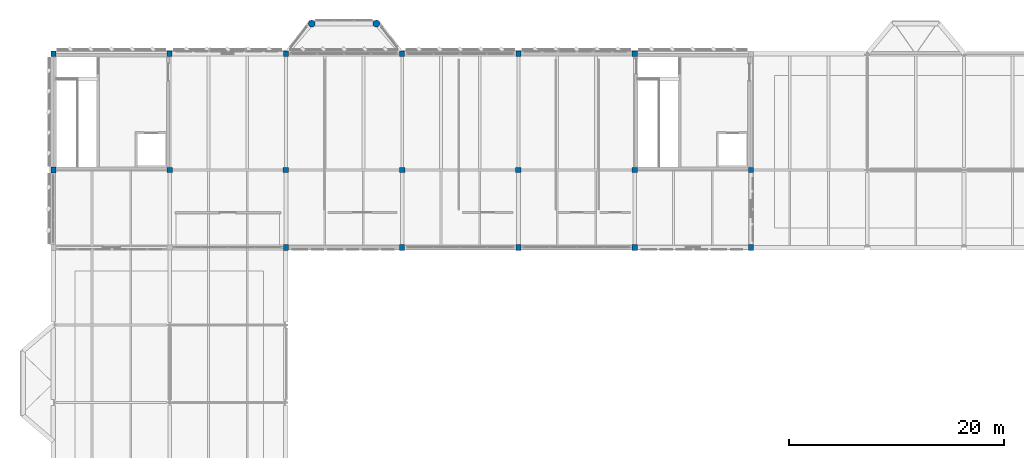
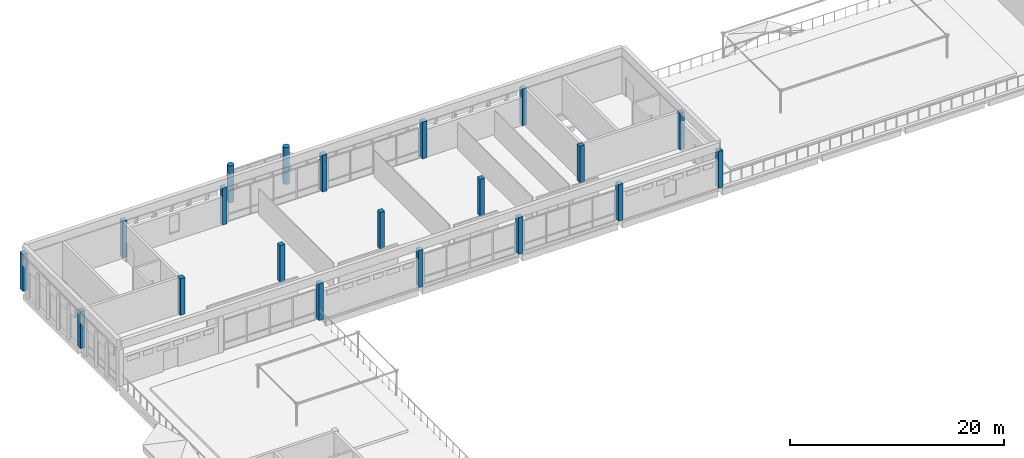
# One storey, part 4 of 33: 20 columns.
"""IFC4 building model written with IfcOpenShell, lengths in metres."""

from ifc_helpers import new_model, si_unit, direction, frame, origin, origin_2d, place, context, subcontext, project, spatial, rectangle, circle, extrude, material, material_profile, profile_set, type_object, element, save


model = new_model("IFC4")

# Units and contexts
model_context = context("Model", 3, precision=1e-05, world=origin(), true_north=direction((0.0, 1.0)))
body_context = subcontext(model_context, "Body", "Model", "MODEL_VIEW")
ifc_project = project(units=[si_unit("LENGTHUNIT", "METRE"), si_unit("AREAUNIT", "SQUARE_METRE"), si_unit("VOLUMEUNIT", "CUBIC_METRE"), si_unit("PLANEANGLEUNIT", "RADIAN"), si_unit("MASSUNIT", "GRAM", prefix="KILO")], contexts=[model_context])

# Site, building, storey
site_placement = place(None, origin())
site = spatial("IfcSite", under=ifc_project, at=site_placement, CompositionType="ELEMENT")
building_placement = place(site_placement, origin())
building = spatial("IfcBuilding", under=site, at=building_placement, Name="Lusvemor Sports Hall", CompositionType="ELEMENT")
storey_placement = place(building_placement, frame((0.0, 0.0, 19.199951171875)))
storey = spatial("IfcBuildingStorey", under=building, at=storey_placement, Name="L04", CompositionType="ELEMENT", Elevation=19.199951171875)

# Columns
ifc_material_1 = material(Name="Concrete C40/50", Category="concrete")
ifc_material_profile_1 = material_profile(ifc_material_1, circle(Radius=0.324951171875, at=origin_2d()), Name="RCCIRC650")
ifc_profile_set_1 = profile_set([ifc_material_profile_1], Name="Concrete C40/50")
column_type_1 = type_object("IfcColumnType", Name="COL_COLONNADE", PredefinedType="COLUMN", material=ifc_profile_set_1)
for number, where, z_axis, x_axis, name in (
    (1, (24.0, 118.0, 0.0), (0.0, 0.0, 1.0), (1.0, 0.0, 0.0), "Art Nouveau Bow Column BOW-N1-1 (L04)"),
    (2, (30.0, 118.0, 0.0), (0.0, 0.0, 1.0), (1.0, 0.0, 0.0), "Art Nouveau Bow Column BOW-N1-2 (L04)"),
):
    element("IfcColumn", number, at=place(storey_placement, frame(where, z_axis=z_axis, x_axis=x_axis)), inside=storey, type_object=column_type_1, Name=name, PredefinedType="COLUMN", context=body_context, shape_type="SweptSolid", body=[
        extrude(circle(Radius=0.324951171875, at=origin_2d()), origin(), (0.0, 0.0, 1.0), 4.199951171875),
    ])
ifc_material_2 = material(Name="Concrete C40/50", Category="concrete")
ifc_material_profile_2 = material_profile(ifc_material_2, rectangle(XDim=0.47998046875, YDim=0.5400390625, at=origin_2d()), Name="RC480x540")
ifc_profile_set_2 = profile_set([ifc_material_profile_2], Name="Concrete C40/50")
column_type_2 = type_object("IfcColumnType", Name="COL_UPPER_E", PredefinedType="COLUMN", material=ifc_profile_set_2)
for number, where, z_axis, x_axis, name in (
    (3, (0.0, 104.39990234375, 0.0), (0.0, 0.0, 1.0), (1.0, 0.0, 0.0), "Column 1/P (L04)"),
    (4, (0.0, 115.199951171875, 0.0), (0.0, 0.0, 1.0), (1.0, 0.0, 0.0), "Column 1/Q (L04)"),
    (5, (10.800048828125, 115.199951171875, 0.0), (0.0, 0.0, 1.0), (1.0, 0.0, 0.0), "Column 2/Q (L04)"),
    (6, (21.60009765625, 97.199951171875, 0.0), (0.0, 0.0, 1.0), (1.0, 0.0, 0.0), "Column 3/N (L04)"),
    (7, (21.60009765625, 115.199951171875, 0.0), (0.0, 0.0, 1.0), (1.0, 0.0, 0.0), "Column 3/Q (L04)"),
    (8, (32.39990234375, 97.199951171875, 0.0), (0.0, 0.0, 1.0), (1.0, 0.0, 0.0), "Column 4/N (L04)"),
    (9, (32.39990234375, 115.199951171875, 0.0), (0.0, 0.0, 1.0), (1.0, 0.0, 0.0), "Column 4/Q (L04)"),
    (10, (43.199951171875, 97.199951171875, 0.0), (0.0, 0.0, 1.0), (1.0, 0.0, 0.0), "Column 5/N (L04)"),
    (11, (43.199951171875, 115.199951171875, 0.0), (0.0, 0.0, 1.0), (1.0, 0.0, 0.0), "Column 5/Q (L04)"),
    (12, (54.0, 97.199951171875, 0.0), (0.0, 0.0, 1.0), (1.0, 0.0, 0.0), "Column 6/N (L04)"),
    (13, (54.0, 115.199951171875, 0.0), (0.0, 0.0, 1.0), (1.0, 0.0, 0.0), "Column 6/Q (L04)"),
    (14, (64.800048828125, 97.199951171875, 0.0), (0.0, 0.0, 1.0), (1.0, 0.0, 0.0), "Column 7/N (L04)"),
):
    element("IfcColumn", number, at=place(storey_placement, frame(where, z_axis=z_axis, x_axis=x_axis)), inside=storey, type_object=column_type_2, Name=name, PredefinedType="COLUMN", context=body_context, shape_type="SweptSolid", body=[
        extrude(rectangle(XDim=0.47998046875, YDim=0.5400390625, at=origin_2d()), origin(), (0.0, 0.0, 1.0), 4.199951171875),
    ])
ifc_material_3 = material(Name="Concrete C40/50", Category="concrete")
ifc_material_profile_3 = material_profile(ifc_material_3, rectangle(XDim=0.5, YDim=0.5, at=origin_2d()), Name="RC500x500")
ifc_profile_set_3 = profile_set([ifc_material_profile_3], Name="Concrete C40/50")
column_type_3 = type_object("IfcColumnType", Name="COL_UPPER_I", PredefinedType="COLUMN", material=ifc_profile_set_3)
for number, where, z_axis, x_axis, name in (
    (15, (10.800048828125, 104.39990234375, 0.0), (0.0, 0.0, 1.0), (1.0, 0.0, 0.0), "Column 2/P (L04)"),
    (16, (21.60009765625, 104.39990234375, 0.0), (0.0, 0.0, 1.0), (1.0, 0.0, 0.0), "Column 3/P (L04)"),
    (17, (32.39990234375, 104.39990234375, 0.0), (0.0, 0.0, 1.0), (1.0, 0.0, 0.0), "Column 4/P (L04)"),
    (18, (43.199951171875, 104.39990234375, 0.0), (0.0, 0.0, 1.0), (1.0, 0.0, 0.0), "Column 5/P (L04)"),
    (19, (54.0, 104.39990234375, 0.0), (0.0, 0.0, 1.0), (1.0, 0.0, 0.0), "Column 6/P (L04)"),
    (20, (64.800048828125, 104.39990234375, 0.0), (0.0, 0.0, 1.0), (1.0, 0.0, 0.0), "Column 7/P (L04)"),
):
    element("IfcColumn", number, at=place(storey_placement, frame(where, z_axis=z_axis, x_axis=x_axis)), inside=storey, type_object=column_type_3, Name=name, PredefinedType="COLUMN", context=body_context, shape_type="SweptSolid", body=[
        extrude(rectangle(XDim=0.5, YDim=0.5, at=origin_2d()), origin(), (0.0, 0.0, 1.0), 4.199951171875),
    ])

save(model, "model.ifc")
